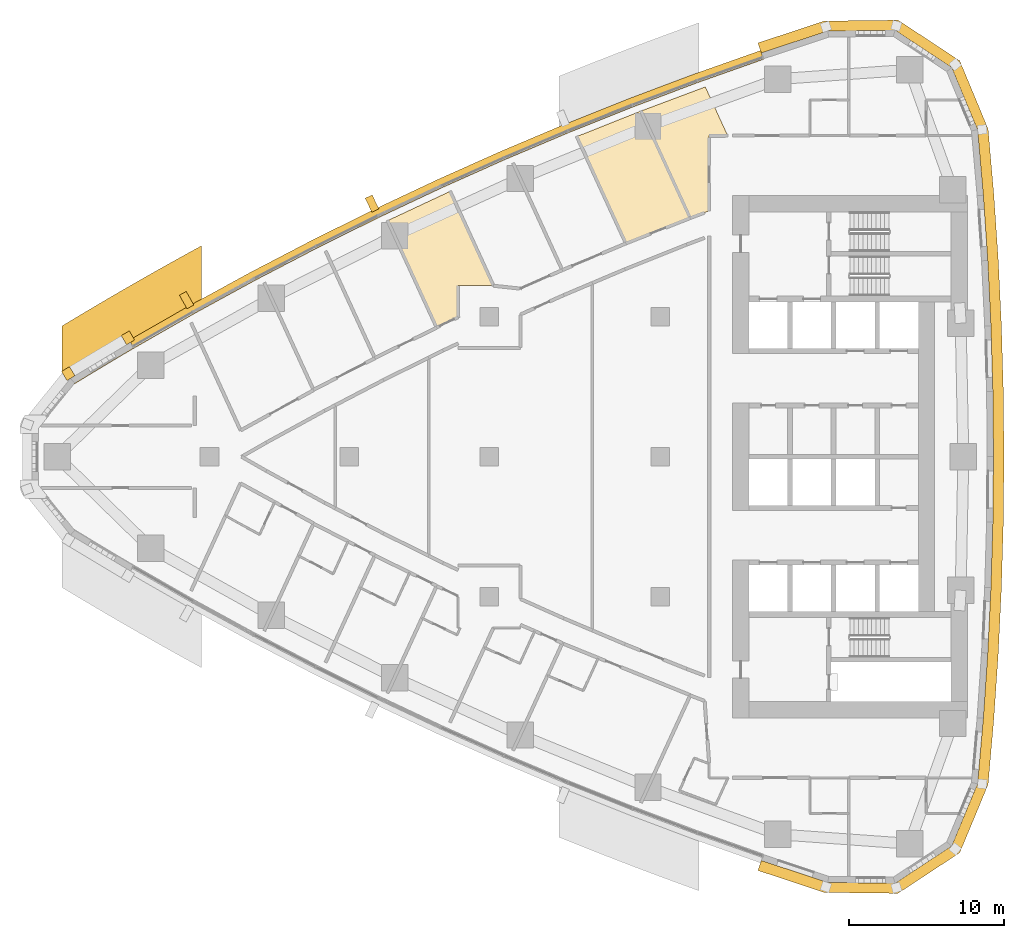
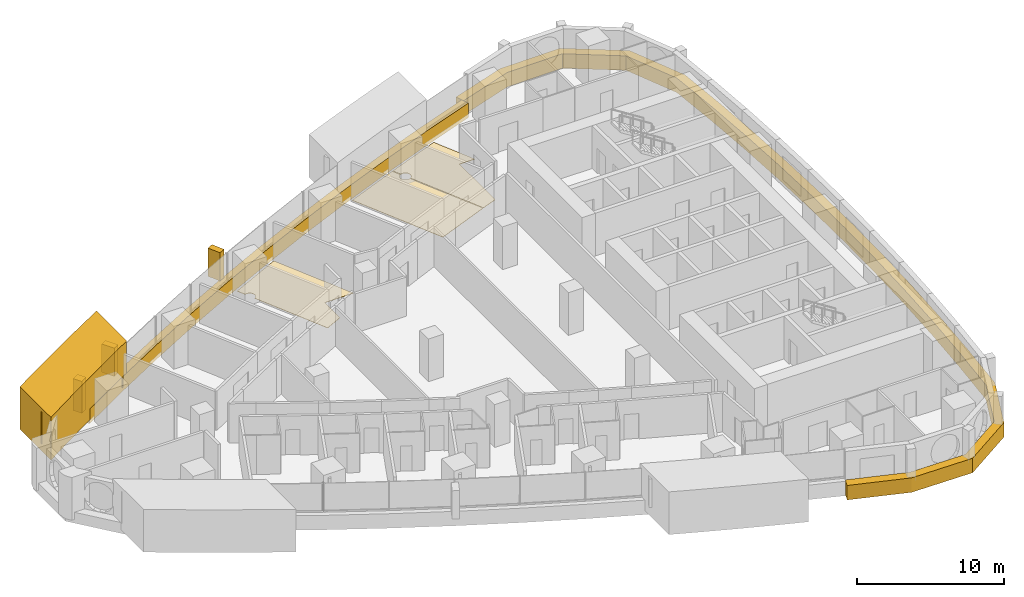
# One storey, part 16 of 17: 10 coverings.
"""IFC4 building model written with IfcOpenShell, lengths in metres."""

from ifc_helpers import new_model, si_unit, direction, frame, frame_2d, origin, place, context, subcontext, project, spatial, polyline, rectangle, outline, extrude, material, layer, layer_set, type_object, element, save


model = new_model("IFC4")

# Units and contexts
model_context = context("Model", 3, precision=1e-05, world=origin(), true_north=direction((0.0, 1.0)))
body_context = subcontext(model_context, "Body", "Model", "MODEL_VIEW")
ifc_project = project(units=[si_unit("LENGTHUNIT", "METRE"), si_unit("AREAUNIT", "SQUARE_METRE"), si_unit("VOLUMEUNIT", "CUBIC_METRE"), si_unit("PLANEANGLEUNIT", "RADIAN"), si_unit("MASSUNIT", "GRAM", prefix="KILO")], contexts=[model_context])

# Site, building, storey
site_placement = place(None, origin())
site = spatial("IfcSite", under=ifc_project, at=site_placement, CompositionType="ELEMENT")
building_placement = place(site_placement, origin())
building = spatial("IfcBuilding", under=site, at=building_placement, Name="Ostrand Prow Hotel Tower", CompositionType="ELEMENT")
storey_placement = place(building_placement, frame((0.0, 0.0, 88.449951171875)))
storey = spatial("IfcBuildingStorey", under=building, at=storey_placement, Name="L20", CompositionType="ELEMENT", Elevation=88.449951171875)

# Coverings
ifc_material_1 = material(Name="Bronze anodised aluminium cladding", Category="aluminium")
ifc_layer_1 = layer(ifc_material_1, 0.60009765625)
ifc_layer_set_1 = layer_set([ifc_layer_1], Name="Bronze anodised aluminium cladding")
covering_type_1 = type_object("IfcCoveringType", Name="Bronze spandrel band 1200x600", PredefinedType="CLADDING", material=ifc_layer_set_1)
covering_1_placement = place(storey_placement, frame((0.0, 0.0, -0.300048828125)))
element("IfcCovering", 1, at=covering_1_placement, inside=storey, type_object=covering_type_1, Name="Spandrel band N1", PredefinedType="CLADDING", context=body_context, shape_type="SweptSolid", body=[
    extrude(outline(polyline([(51.4501953125, 26.1328125), (47.231201171875, 24.64013671875), (43.042724609375, 23.0634765625), (38.88671875, 21.4033203125), (34.764892578125, 19.659912109375), (30.6787109375, 17.834716796875), (26.6298828125, 15.927734375), (22.620361328125, 13.940185546875), (18.651123046875, 11.872802734375), (14.72412109375, 9.726318359375), (10.841064453125, 7.50146484375), (11.144287109375, 6.98388671875), (15.01708984375, 9.20263671875), (18.93359375, 11.343505859375), (22.89208984375, 13.4052734375), (26.89111328125, 15.3876953125), (30.928955078125, 17.289306640625), (35.004150390625, 19.10986328125), (39.114990234375, 20.848388671875), (43.259765625, 22.504150390625), (47.43701171875, 24.076416015625), (51.644775390625, 25.56494140625), (51.4501953125, 26.1328125)])), origin(), (0.0, 0.0, 1.0), 1.2001953125),
])
covering_2_placement = place(storey_placement, frame((0.0, 0.0, -0.300048828125)))
element("IfcCovering", 2, at=covering_2_placement, inside=storey, type_object=covering_type_1, Name="Spandrel band back 1", PredefinedType="CLADDING", context=body_context, shape_type="SweptSolid", body=[
    extrude(outline(polyline([(51.28369140625, -26.619384765625), (55.54150390625, -28.0302734375), (60.2958984375, -28.09033203125), (64.267578125, -25.476806640625), (66.09326171875, -21.086669921875), (66.460693359375, -16.87890625), (66.74658203125, -12.664794921875), (66.950927734375, -8.44580078125), (67.073486328125, -4.2236328125), (67.114501953125, 0.0), (67.073486328125, 4.2236328125), (66.950927734375, 8.44580078125), (66.74658203125, 12.664794921875), (66.460693359375, 16.87890625), (66.09326171875, 21.086669921875), (64.267578125, 25.476806640625), (60.2958984375, 28.09033203125), (55.54150390625, 28.0302734375), (51.28369140625, 26.619384765625), (51.50390625, 25.97607421875), (55.7490234375, 27.3828125), (60.104736328125, 27.437744140625), (63.74365234375, 25.043212890625), (65.41650390625, 21.02099609375), (65.78271484375, 16.826416015625), (66.067626953125, 12.625244140625), (66.271484375, 8.41943359375), (66.393798828125, 4.21044921875), (66.434326171875, 0.0), (66.393798828125, -4.21044921875), (66.271484375, -8.41943359375), (66.067626953125, -12.625244140625), (65.78271484375, -16.826416015625), (65.41650390625, -21.02099609375), (63.74365234375, -25.043212890625), (60.104736328125, -27.437744140625), (55.7490234375, -27.3828125), (51.50390625, -25.97607421875), (51.28369140625, -26.619384765625)])), origin(), (0.0, 0.0, 1.0), 1.2001953125),
])
ifc_material_2 = material(Name="Limestone cladding", Category="masonry")
ifc_layer_2 = layer(ifc_material_2, 5.0)
ifc_layer_set_2 = layer_set([ifc_layer_2], Name="Limestone cladding")
covering_type_2 = type_object("IfcCoveringType", Name="Portal jamb pilaster limestone", PredefinedType="CLADDING", material=ifc_layer_set_2)
covering_3_placement = place(storey_placement, origin())
element("IfcCovering", 3, at=covering_3_placement, inside=storey, type_object=covering_type_2, Name="Portal jamb NA L20", PredefinedType="CLADDING", context=body_context, shape_type="SweptSolid", body=[
    extrude(outline(polyline([(6.5, 4.184326171875), (7.5, 4.80029296875), (8.5, 5.40869140625), (9.5, 6.01025390625), (10.5, 6.6044921875), (11.5, 7.19189453125), (12.5, 7.772216796875), (13.5, 8.345703125), (14.5, 8.912353515625), (15.5, 9.47216796875), (15.5, 13.581787109375), (14.5, 13.03369140625), (13.5, 12.478759765625), (12.5, 11.91748046875), (11.5, 11.349365234375), (10.5, 10.7744140625), (9.5, 10.19287109375), (8.5, 9.604248046875), (7.5, 9.0087890625), (6.5, 8.40625), (6.5, 4.184326171875)])), origin(), (0.0, 0.0, 1.0), 3.550048828125),
])
ifc_material_3 = material(Name="Limestone cladding", Category="masonry")
ifc_layer_3 = layer(ifc_material_3, 0.5)
ifc_layer_set_3 = layer_set([ifc_layer_3], Name="Limestone cladding")
covering_type_3 = type_object("IfcCoveringType", Name="Precast stone fin 500x900", PredefinedType="CLADDING", material=ifc_layer_set_3)
for number, where, z_axis, x_axis, name in (
    (4, (26.673583984375, 15.837646484375, 0.900146484375), (0.0, 0.0, 1.0), (-0.435261006131, 0.900304313298, 0.0), "Stone fin N 7"),
    (5, (14.77294921875, 9.638916015625, 0.900146484375), (0.0, 0.0, 1.0), (-0.48823165008, 0.872714074517, 0.0), "Stone fin N 10"),
):
    element("IfcCovering", number, at=place(storey_placement, frame(where, z_axis=z_axis, x_axis=x_axis)), inside=storey, type_object=covering_type_3, Name=name, PredefinedType="CLADDING", context=body_context, shape_type="SweptSolid", body=[
        extrude(rectangle(XDim=1.0, YDim=0.5, at=frame_2d((0.5, 0.0))), origin(), (0.0, 0.0, 1.0), 2.349853515625),
    ])
ifc_material_4 = material(Name="Limestone cladding", Category="masonry")
ifc_layer_4 = layer(ifc_material_4, 0.60009765625)
ifc_layer_set_4 = layer_set([ifc_layer_4], Name="Limestone cladding")
covering_type_4 = type_object("IfcCoveringType", Name="Precast stone prow rib 600x600", PredefinedType="CLADDING", material=ifc_layer_set_4)
covering_4_placement = place(storey_placement, frame((10.9248046875, 7.358642578125, 0.60009765625), z_axis=(0.0, 0.0, 1.0), x_axis=(-0.505811626043, 0.862643958397, 0.0)))
element("IfcCovering", 6, at=covering_4_placement, inside=storey, type_object=covering_type_4, Name="Stone prow rib 1", PredefinedType="CLADDING", context=body_context, shape_type="SweptSolid", body=[
    extrude(rectangle(XDim=0.68017578125, YDim=0.60009765625, at=frame_2d((0.340087890625, 0.0))), origin(), (0.0, 0.0, 1.0), 2.64990234375),
])
covering_5_placement = place(storey_placement, frame((7.089599609375, 5.058349609375, 0.60009765625), z_axis=(0.0, 0.0, 1.0), x_axis=(-0.522814637618, 0.852446394029, 0.0)))
element("IfcCovering", 7, at=covering_5_placement, inside=storey, type_object=covering_type_4, Name="Stone prow rib 2", PredefinedType="CLADDING", context=body_context, shape_type="SweptSolid", body=[
    extrude(rectangle(XDim=0.679931640625, YDim=0.60009765625, at=frame_2d((0.33984375, 0.0))), origin(), (0.0, 0.0, 1.0), 2.64990234375),
])
ifc_material_5 = material(Name="Polished limestone", Category="masonry")
ifc_layer_5 = layer(ifc_material_5, 0.030029296875)
ifc_layer_set_5 = layer_set([ifc_layer_5], Name="Polished limestone")
covering_type_5 = type_object("IfcCoveringType", Name="Stone floor finish 30 mm", PredefinedType="FLOORING", material=ifc_layer_set_5)
covering_6_placement = place(storey_placement, origin())
element("IfcCovering", 8, at=covering_6_placement, inside=storey, type_object=covering_type_5, Name="Floor finish Bar", PredefinedType="FLOORING", context=body_context, shape_type="SweptSolid", body=[
    extrude(outline(polyline([(31.976806640625, 11.02392578125), (34.237060546875, 11.02490234375), (31.461669921875, 17.06689453125), (27.48046875, 15.20068359375), (27.76318359375, 14.585205078125), (27.791015625, 14.594970703125), (27.8291015625, 14.6044921875), (27.867919921875, 14.6103515625), (27.906982421875, 14.6123046875), (27.9462890625, 14.6103515625), (27.985107421875, 14.6044921875), (28.023193359375, 14.594970703125), (28.060302734375, 14.581787109375), (28.095703125, 14.56494140625), (28.12939453125, 14.544921875), (28.160888671875, 14.521484375), (28.18994140625, 14.4951171875), (28.21630859375, 14.466064453125), (28.23974609375, 14.434326171875), (28.260009765625, 14.40087890625), (28.276611328125, 14.365234375), (28.289794921875, 14.328369140625), (28.29931640625, 14.290283203125), (28.30517578125, 14.25146484375), (28.30712890625, 14.212158203125), (28.30517578125, 14.173095703125), (28.29931640625, 14.13427734375), (28.289794921875, 14.09619140625), (28.276611328125, 14.05908203125), (28.260009765625, 14.023681640625), (28.23974609375, 13.989990234375), (28.21630859375, 13.95849609375), (28.18994140625, 13.929443359375), (28.160888671875, 13.903076171875), (28.12939453125, 13.879638671875), (28.096435546875, 13.85986328125), (30.63623046875, 8.330810546875), (31.97509765625, 8.966552734375), (31.976806640625, 11.02392578125)])), origin(), (0.0, 0.0, 1.0), 0.030029296875),
])
covering_7_placement = place(storey_placement, origin())
element("IfcCovering", 9, at=covering_7_placement, inside=storey, type_object=covering_type_5, Name="Floor finish Private Dining Room", PredefinedType="FLOORING", context=body_context, shape_type="SweptSolid", body=[
    extrude(outline(polyline([(42.812255859375, 13.7373046875), (46.903564453125, 15.35400390625), (44.359375, 20.892333984375), (44.326904296875, 20.880859375), (44.288818359375, 20.871337890625), (44.25, 20.865478515625), (44.210693359375, 20.863525390625), (44.171630859375, 20.865478515625), (44.1328125, 20.871337890625), (44.0947265625, 20.880859375), (44.0576171875, 20.89404296875), (44.022216796875, 20.910888671875), (43.988525390625, 20.930908203125), (43.95703125, 20.954345703125), (43.927978515625, 20.980712890625), (43.901611328125, 21.009765625), (43.878173828125, 21.04150390625), (43.85791015625, 21.074951171875), (43.84130859375, 21.110595703125), (43.827880859375, 21.1474609375), (43.818603515625, 21.185546875), (43.812744140625, 21.224365234375), (43.810791015625, 21.263671875), (43.812744140625, 21.302734375), (43.818603515625, 21.341552734375), (43.827880859375, 21.379638671875), (43.84130859375, 21.416748046875), (43.85791015625, 21.4521484375), (43.878173828125, 21.48583984375), (43.901611328125, 21.517333984375), (43.927978515625, 21.54638671875), (43.95703125, 21.57275390625), (43.988525390625, 21.59619140625), (44.022216796875, 21.616455078125), (44.02587890625, 21.6181640625), (43.741943359375, 22.236328125), (39.654296875, 20.611328125), (42.812255859375, 13.7373046875)])), origin(), (0.0, 0.0, 1.0), 0.030029296875),
])
covering_8_placement = place(storey_placement, origin())
element("IfcCovering", 10, at=covering_8_placement, inside=storey, type_object=covering_type_5, Name="Floor finish Private Dining Room", PredefinedType="FLOORING", context=body_context, shape_type="SweptSolid", body=[
    extrude(outline(polyline([(48.12548828125, 20.671875), (49.33056640625, 20.6748046875), (47.897705078125, 23.793701171875), (43.783935546875, 22.252685546875), (44.067138671875, 21.636474609375), (44.0947265625, 21.646484375), (44.1328125, 21.656005859375), (44.171630859375, 21.66162109375), (44.210693359375, 21.66357421875), (44.25, 21.66162109375), (44.288818359375, 21.656005859375), (44.326904296875, 21.646484375), (44.364013671875, 21.63330078125), (44.3994140625, 21.616455078125), (44.43310546875, 21.59619140625), (44.464599609375, 21.57275390625), (44.49365234375, 21.54638671875), (44.52001953125, 21.517333984375), (44.54345703125, 21.48583984375), (44.563720703125, 21.4521484375), (44.580322265625, 21.416748046875), (44.593505859375, 21.379638671875), (44.60302734375, 21.341552734375), (44.60888671875, 21.302734375), (44.61083984375, 21.263671875), (44.60888671875, 21.224365234375), (44.60302734375, 21.185546875), (44.593505859375, 21.1474609375), (44.580322265625, 21.110595703125), (44.563720703125, 21.074951171875), (44.54345703125, 21.04150390625), (44.52001953125, 21.009765625), (44.49365234375, 20.980712890625), (44.464599609375, 20.954345703125), (44.43310546875, 20.930908203125), (44.400146484375, 20.911376953125), (46.945556640625, 15.3701171875), (48.125244140625, 15.814208984375), (48.12548828125, 20.671875)])), origin(), (0.0, 0.0, 1.0), 0.030029296875),
])

save(model, "model.ifc")
